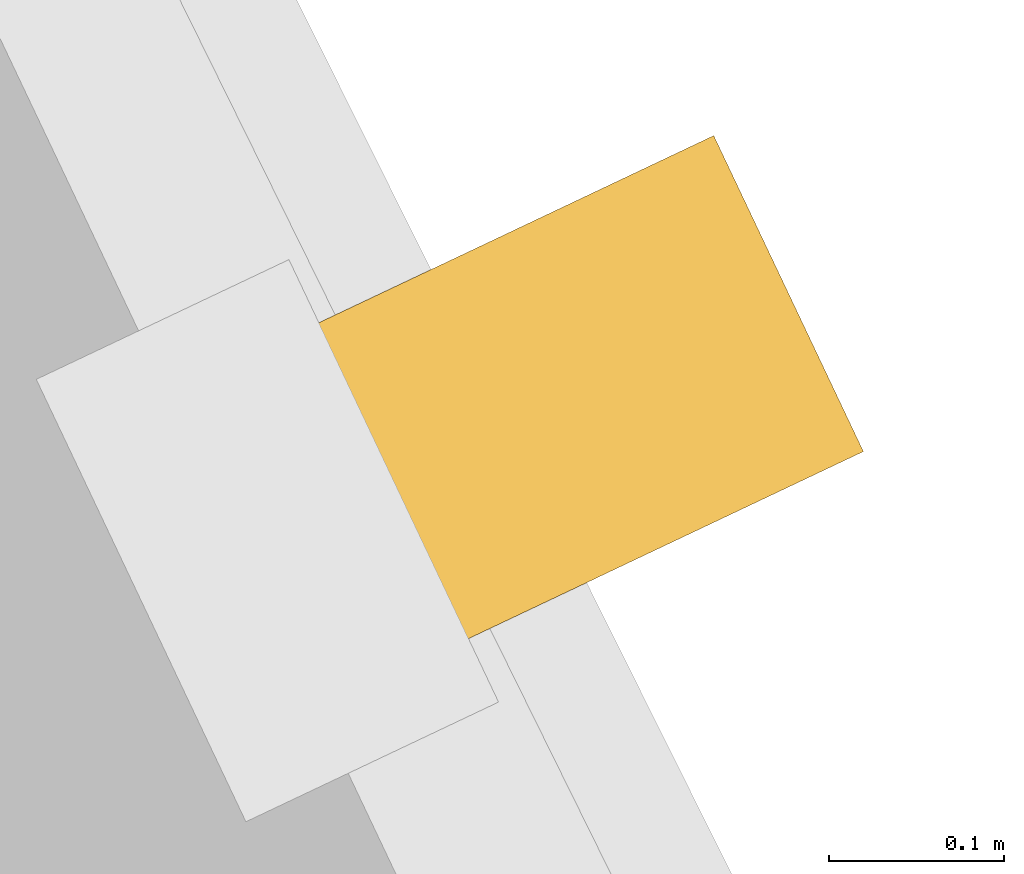
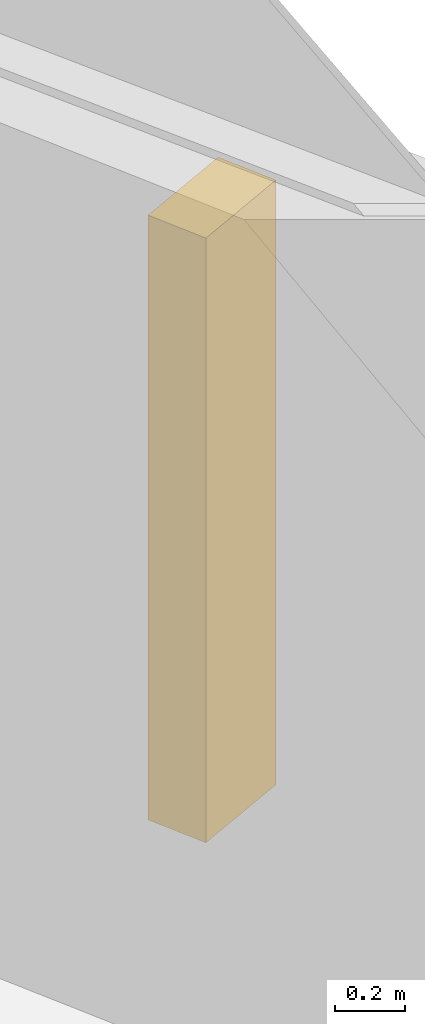
# One storey, part 16 of 16: 1 shading device.
"""IFC4 building model written with IfcOpenShell, lengths in metres."""

from ifc_helpers import new_model, si_unit, direction, frame, origin, origin_2d, place, context, subcontext, project, spatial, rectangle, extrude, source, transform, mapped, material, type_object, element, save


model = new_model("IFC4")

# Units and contexts
model_context = context("Model", 3, precision=1e-05, world=origin(), true_north=direction((0.0, 1.0)))
body_context = subcontext(model_context, "Body", "Model", "MODEL_VIEW")
ifc_project = project(units=[si_unit("LENGTHUNIT", "METRE"), si_unit("AREAUNIT", "SQUARE_METRE"), si_unit("VOLUMEUNIT", "CUBIC_METRE"), si_unit("PLANEANGLEUNIT", "RADIAN"), si_unit("MASSUNIT", "GRAM", prefix="KILO")], contexts=[model_context])

# Site, building, storey
site_placement = place(None, origin())
site = spatial("IfcSite", under=ifc_project, at=site_placement, CompositionType="ELEMENT")
building_placement = place(site_placement, origin())
building = spatial("IfcBuilding", under=site, at=building_placement, Name="Olszyna Solenne Hotel", CompositionType="ELEMENT")
storey_placement = place(building_placement, frame((0.0, 0.0, 138.10009765625)))
storey = spatial("IfcBuildingStorey", under=building, at=storey_placement, Name="L36", CompositionType="ELEMENT", Elevation=138.10009765625)

# Shading device
ifc_material = material(Name="Terracotta cladding", Category="masonry")
shading_device_type = type_object("IfcShadingDeviceType", Name="SH-FN1", PredefinedType="USERDEFINED", material=ifc_material)
shared_shape = source(origin(), body_context, "Body", "SweptSolid", [
    extrude(rectangle(XDim=0.199951171875, YDim=0.35009765625, at=origin_2d()), origin(), (0.0, 0.0, 1.0), 2.10009765625),
])
shading_device_placement = place(storey_placement, frame((64.89111328125, 39.517333984375, 0.435791015625), z_axis=(0.0, 0.0, 1.0), x_axis=(0.428146661421, -0.903709265369, 0.0)))
element("IfcShadingDevice", 1, at=shading_device_placement, inside=storey, type_object=shading_device_type, Name="Chamfer wind-corner terracotta fin FN-L36-09", ObjectType="FIN", PredefinedType="USERDEFINED", context=body_context, shape_type="MappedRepresentation", body=[
    mapped(shared_shape, transform((0.0, 0.0, 0.0), x_axis=(1.0, 0.0, 0.0), y_axis=(0.0, 1.0, 0.0), z_axis=(0.0, 0.0, 1.0), scale=1.0)),
])

save(model, "model.ifc")
